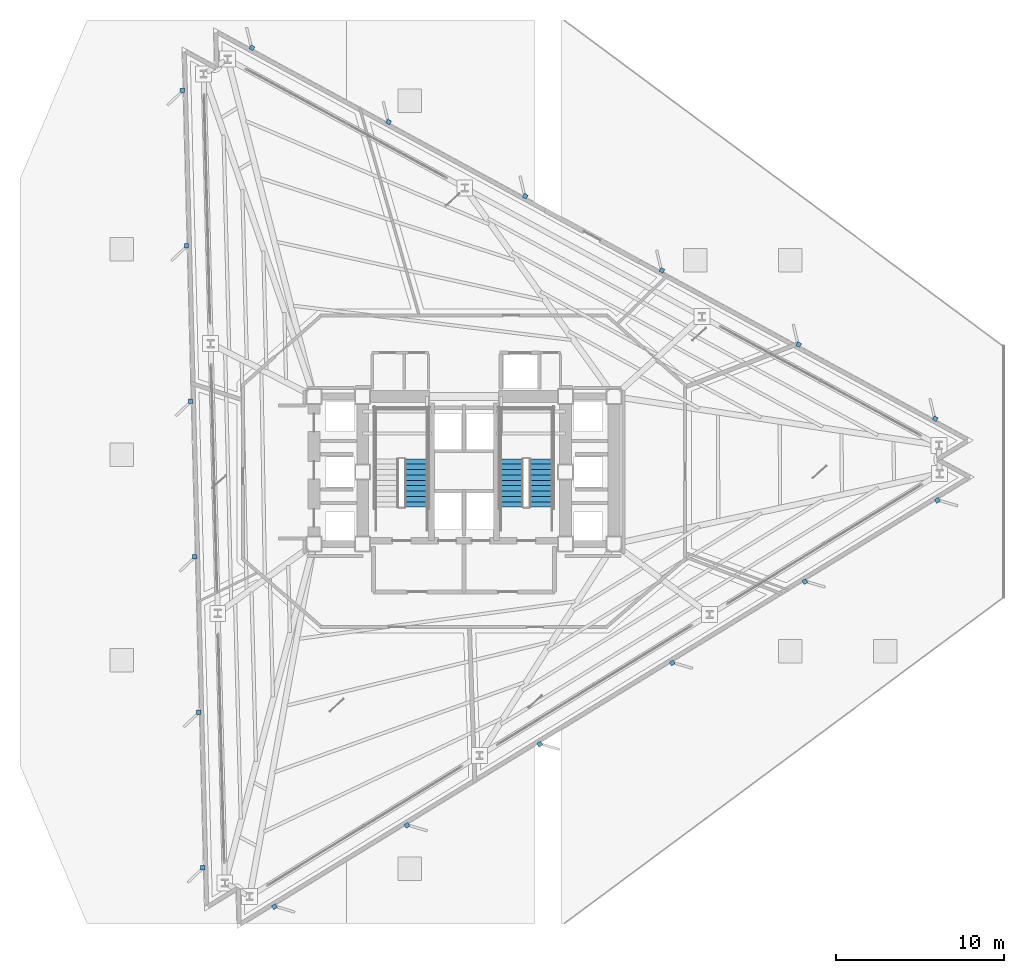
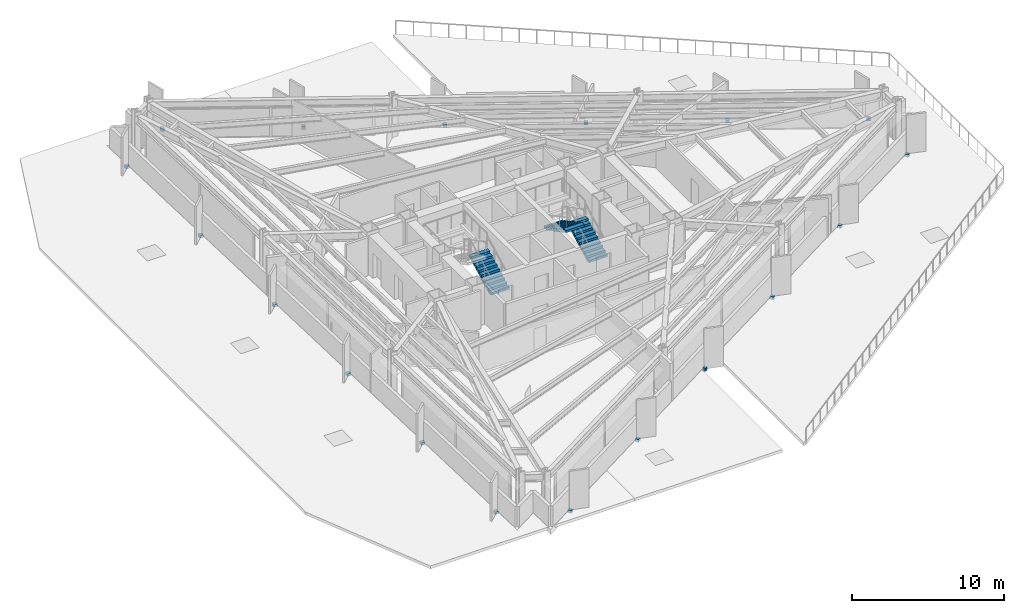
# One storey, part 10 of 13: 18 discrete accessories, 3 stair flights, 2 elements without a shape of their own.
"""IFC4 building model written with IfcOpenShell, lengths in metres."""

import ifcopenshell
import ifcopenshell.guid

model = None  # the IFC model being written
_history = None  # IfcOwnerHistory: only IFC2X3 demands one
_inside = {}  # id of a spatial element -> (the spatial element, [elements in it])
_under = {}  # id of a project, library or spatial element -> (it, [spatial elements below it])
_declared = {}  # id of a project -> (the project, [libraries it declares])
_typed = {}  # id of a type object -> (the type object, [elements of that type])
_made_of = {}  # id of a material, layer set ... -> (it, [elements and type objects made of it])


def new_model(schema):
    """Start an empty IFC model of exactly this schema.

    Asked for "IFC4X3", IfcOpenShell would pick the latest addendum, in which some entities
    have other attributes; the version numbers below select the first issue.
    IFC2X3 requires an IfcOwnerHistory on every rooted entity: one is made here for all.
    """
    global model, _history
    if schema == "IFC4X3":
        model = ifcopenshell.file(schema_version=(4, 3, 0, 0))
    else:
        model = ifcopenshell.file(schema=schema)
    _inside.clear()
    _under.clear()
    _declared.clear()
    _typed.clear()
    _made_of.clear()
    _history = None
    if model.schema == "IFC2X3":
        org = make("IfcOrganization", Name="unknown")
        user = make(
            "IfcPersonAndOrganization",
            ThePerson=make("IfcPerson", FamilyName="unknown"),
            TheOrganization=org,
        )
        app = make(
            "IfcApplication",
            ApplicationDeveloper=org,
            Version="unknown",
            ApplicationFullName="unknown",
            ApplicationIdentifier="unknown",
        )
        _history = make(
            "IfcOwnerHistory",
            OwningUser=user,
            OwningApplication=app,
            ChangeAction="ADDED",
            CreationDate=0,
        )
    return model


def make(cls, **values):
    """One entity of the class cls with the attributes given. An attribute that is None is left unset."""
    return model.create_entity(
        cls, **{name: value for name, value in values.items() if value is not None}
    )


def rooted(cls, **values):
    """An entity with a GlobalId (a new one), such as an element, a storey or a relation."""
    return make(cls, GlobalId=ifcopenshell.guid.new(), OwnerHistory=_history, **values)


def si_unit(unit_type, name, prefix=None):
    """IfcSIUnit, for example si_unit("LENGTHUNIT", "METRE", prefix="MILLI")."""
    return make("IfcSIUnit", UnitType=unit_type, Prefix=prefix, Name=name)


def assignment(units):
    """IfcUnitAssignment: the units of a project."""
    return None if units is None else make("IfcUnitAssignment", Units=units)


def point(xyz):
    """IfcCartesianPoint."""
    return None if xyz is None else make("IfcCartesianPoint", Coordinates=xyz)


def direction(xyz):
    """IfcDirection."""
    return None if xyz is None else make("IfcDirection", DirectionRatios=xyz)


def frame(location, z_axis=None, x_axis=None):
    """IfcAxis2Placement3D, a coordinate frame: its origin and axes. An axis left out is left unset."""
    return make(
        "IfcAxis2Placement3D",
        Location=point(location),
        Axis=direction(z_axis),
        RefDirection=direction(x_axis),
    )


def frame_2d(location, x_axis=None):
    """IfcAxis2Placement2D, a coordinate frame in the plane: its origin and x axis."""
    return make(
        "IfcAxis2Placement2D", Location=point(location), RefDirection=direction(x_axis)
    )


def origin():
    """The frame at (0, 0, 0) with its axes left unset."""
    return frame((0.0, 0.0, 0.0))


def origin_2d():
    """The frame at (0, 0) in the plane with its x axis left unset."""
    return frame_2d((0.0, 0.0))


def place(relative_to, where):
    """IfcLocalPlacement: puts the frame where relative to a parent placement (None: the world)."""
    return make(
        "IfcLocalPlacement", PlacementRelTo=relative_to, RelativePlacement=where
    )


def context(
    kind, dimensions, precision=None, world=None, true_north=None, identifier=None
):
    """IfcGeometricRepresentationContext, for example the 3D "Model" context."""
    return make(
        "IfcGeometricRepresentationContext",
        ContextIdentifier=identifier,
        ContextType=kind,
        CoordinateSpaceDimension=dimensions,
        Precision=precision,
        WorldCoordinateSystem=world,
        TrueNorth=true_north,
    )


def subcontext(parent, identifier, kind, view, scale=None):
    """IfcGeometricRepresentationSubContext, for example "Body" below "Model"."""
    return make(
        "IfcGeometricRepresentationSubContext",
        ContextIdentifier=identifier,
        ContextType=kind,
        ParentContext=parent,
        TargetScale=scale,
        TargetView=view,
    )


def project(units=None, contexts=None):
    """IfcProject with its units and contexts."""
    return rooted(
        "IfcProject",
        Name="project",
        RepresentationContexts=contexts,
        UnitsInContext=assignment(units),
    )


def spatial(cls, under=None, at=None, **own):
    """A site, building, storey or space (cls), placed at a placement, below another one or the project."""
    s = rooted(cls, ObjectPlacement=at, **own)
    if under is not None:
        _under.setdefault(under.id(), (under, []))[1].append(s)
    return s


def polyline(points):
    """IfcPolyline through the points."""
    return make("IfcPolyline", Points=[point(p) for p in points])


def profile(cls, at=None, kind="AREA", **sizes):
    """A parametric profile (cls). Its sizes go by their IFC names, for example OverallWidth=200.0."""
    return make(cls, ProfileType=kind, Position=at, **sizes)


def rectangle(**sizes):
    """IfcRectangleProfileDef."""
    return profile("IfcRectangleProfileDef", **sizes)


def outline(outer, holes=None, kind="AREA"):
    """IfcArbitraryClosedProfileDef: a profile drawn as a closed curve; with holes, ...WithVoids."""
    if holes is None:
        return make("IfcArbitraryClosedProfileDef", ProfileType=kind, OuterCurve=outer)
    return make(
        "IfcArbitraryProfileDefWithVoids",
        ProfileType=kind,
        OuterCurve=outer,
        InnerCurves=holes,
    )


def extrude(swept, where, along, depth):
    """IfcExtrudedAreaSolid: the profile swept, set in the frame where, extruded along a direction by depth."""
    return make(
        "IfcExtrudedAreaSolid",
        SweptArea=swept,
        Position=where,
        ExtrudedDirection=direction(along),
        Depth=depth,
    )


def shape(context_of_items, identifier, shape_type, items):
    """IfcShapeRepresentation: the items that make up one representation, for example the "Body"."""
    return make(
        "IfcShapeRepresentation",
        ContextOfItems=context_of_items,
        RepresentationIdentifier=identifier,
        RepresentationType=shape_type,
        Items=items,
    )


def material(Name=None, Category=None):
    """IfcMaterial."""
    return make("IfcMaterial", Name=Name, Category=Category)


def layer(
    of_material, thickness, ventilated=None, Name=None, Category=None, Priority=None
):
    """IfcMaterialLayer: one layer of a wall or slab, of a material (None: an air gap)."""
    return make(
        "IfcMaterialLayer",
        Material=of_material,
        LayerThickness=thickness,
        IsVentilated=ventilated,
        Name=Name,
        Category=Category,
        Priority=Priority,
    )


def layer_set(layers, Name=None):
    """IfcMaterialLayerSet."""
    return make("IfcMaterialLayerSet", MaterialLayers=layers, LayerSetName=Name)


def made_of(thing, what):
    """Note that an element or type object is made of a material, layer set ...; save() writes the relation."""
    if what is not None:
        _made_of.setdefault(what.id(), (what, []))[1].append(thing)
    return thing


def type_object(cls, material=None, **own):
    """A type object (cls), such as IfcWallType, which elements share."""
    return made_of(rooted(cls, **own), material)


def element(
    cls,
    number,
    at=None,
    inside=None,
    cuts=None,
    type_object=None,
    material=None,
    context=None,
    identifier="Body",
    shape_type=None,
    held_by="IfcProductDefinitionShape",
    body=None,
    shapes=None,
    **own,
):
    """One element of the class cls, such as IfcWall. Its Tag is "e" and its number.

    at: its placement. inside: the storey or other place that contains it. cuts: it is an
    opening in that element (IfcRelVoidsElement). A single representation is given by context,
    identifier, shape_type and body (its items); several are given by shapes. held_by: the class
    of the entity that holds the representations. save() writes the other relations.
    """
    e = rooted(cls, Tag="e%d" % number, ObjectPlacement=at, **own)
    if body is not None:
        shapes = [shape(context, identifier, shape_type, body)]
    if shapes is not None:
        e.Representation = make(held_by, Representations=shapes)
    if inside is not None:
        _inside.setdefault(inside.id(), (inside, []))[1].append(e)
    if cuts is not None:
        rooted(
            "IfcRelVoidsElement", RelatingBuildingElement=cuts, RelatedOpeningElement=e
        )
    if type_object is not None:
        _typed.setdefault(type_object.id(), (type_object, []))[1].append(e)
    return made_of(e, material)


def aggregate(whole, parts):
    """IfcRelAggregates: a whole, such as a stair, and the parts it consists of."""
    return rooted("IfcRelAggregates", RelatingObject=whole, RelatedObjects=parts)


def save(model, path):
    """Write the relations noted so far, then the file.

    IfcRelAggregates (storeys below a building ...), IfcRelContainedInSpatialStructure (elements
    in a storey), IfcRelDefinesByType, IfcRelAssociatesMaterial and IfcRelDeclares: one each for
    every whole, place, type object, material and project.
    """
    for whole, parts in _under.values():
        aggregate(whole, parts)
    for where, things in _inside.values():
        rooted(
            "IfcRelContainedInSpatialStructure",
            RelatedElements=things,
            RelatingStructure=where,
        )
    for kind, things in _typed.values():
        rooted("IfcRelDefinesByType", RelatedObjects=things, RelatingType=kind)
    for what, things in _made_of.values():
        rooted("IfcRelAssociatesMaterial", RelatedObjects=things, RelatingMaterial=what)
    for by, libraries in _declared.values():
        rooted("IfcRelDeclares", RelatingContext=by, RelatedDefinitions=libraries)
    model.write(path)


model = new_model("IFC4")

# Units and contexts
model_context = context("Model", 3, precision=1e-05, world=origin(), true_north=direction((0.0, 1.0)))
body_context = subcontext(model_context, "Body", "Model", "MODEL_VIEW")
ifc_project = project(units=[si_unit("LENGTHUNIT", "METRE"), si_unit("AREAUNIT", "SQUARE_METRE"), si_unit("VOLUMEUNIT", "CUBIC_METRE"), si_unit("PLANEANGLEUNIT", "RADIAN"), si_unit("MASSUNIT", "GRAM", prefix="KILO")], contexts=[model_context])

# Site, building, storey
site_placement = place(None, origin())
site = spatial("IfcSite", under=ifc_project, at=site_placement, CompositionType="ELEMENT")
building_placement = place(site_placement, origin())
building = spatial("IfcBuilding", under=site, at=building_placement, Name="Rocaltana Carrier Exchange", CompositionType="ELEMENT")
storey_placement = place(building_placement, frame((0.0, 0.0, 18.8798828125)))
storey = spatial("IfcBuildingStorey", under=building, at=storey_placement, Name="L06", CompositionType="ELEMENT", Elevation=18.8798828125)

# Stair, stair flight
ifc_material_1 = material(Name="Precast concrete C45/55", Category="concrete")
stair_type = type_object("IfcStairType", Name="Standard Dog-Leg Stair 160", PredefinedType="HALF_TURN_STAIR", material=ifc_material_1)
stair_1_placement = place(storey_placement, origin())
stair_1 = element("IfcStair", 1, at=stair_1_placement, inside=storey, type_object=stair_type, Name="L06 Core West Exit Stair ST-1", PredefinedType="HALF_TURN_STAIR")
ifc_material_2 = material(Name="Precast concrete C45/55", Category="concrete")
stair_flight_type = type_object("IfcStairFlightType", Name="Precast Stair Flight 160", PredefinedType="STRAIGHT", material=ifc_material_2)
stair_flight_1_placement = place(storey_placement, frame((-2.840087890625, -2.10009765625, 0.0), z_axis=(0.0, 0.0, 1.0), x_axis=(0.0, 1.0, 0.0)))
stair_flight_1 = element("IfcStairFlight", 2, at=stair_flight_1_placement, type_object=stair_flight_type, Name="ST-1 flight 1", NumberOfRisers=10, NumberOfTreads=9, PredefinedType="STRAIGHT", RiserHeight=0.168, TreadLength=0.32, context=body_context, shape_type="SweptSolid", body=[
    extrude(outline(polyline([(0.0, 0.0), (0.0, 0.16796875), (0.320068359375, 0.16796875), (0.320068359375, 0.3359375), (0.639892578125, 0.3359375), (0.639892578125, 0.50390625), (0.9599609375, 0.50390625), (0.9599609375, 0.672119140625), (1.280029296875, 0.672119140625), (1.280029296875, 0.840087890625), (1.60009765625, 0.840087890625), (1.60009765625, 1.008056640625), (1.919921875, 1.008056640625), (1.919921875, 1.176025390625), (2.239990234375, 1.176025390625), (2.239990234375, 1.343994140625), (2.56005859375, 1.343994140625), (2.56005859375, 1.511962890625), (2.8798828125, 1.511962890625), (2.8798828125, 1.679931640625), (2.8798828125, 1.331298828125), (0.343994140625, 0.0), (0.0, 0.0)])), frame((0.0, 0.699951171875, 0.0), z_axis=(0.0, -1.0, 0.0), x_axis=(1.0, 0.0, 0.0)), (0.0, 0.0, 1.0), 1.39990234375),
])
aggregate(stair_1, [stair_flight_1])

# Stair, stair flights
stair_2_placement = place(storey_placement, origin())
stair_2 = element("IfcStair", 3, at=stair_2_placement, inside=storey, type_object=stair_type, Name="L06 Core East Exit Stair ST-2", PredefinedType="HALF_TURN_STAIR")
stair_flight_2_placement = place(storey_placement, frame((4.60009765625, -2.10009765625, 0.0), z_axis=(0.0, 0.0, 1.0), x_axis=(0.0, 1.0, 0.0)))
stair_flight_2 = element("IfcStairFlight", 4, at=stair_flight_2_placement, type_object=stair_flight_type, Name="ST-2 flight 1", NumberOfRisers=10, NumberOfTreads=9, PredefinedType="STRAIGHT", RiserHeight=0.168, TreadLength=0.32, context=body_context, shape_type="SweptSolid", body=[
    extrude(outline(polyline([(0.0, 0.0), (0.0, 0.16796875), (0.320068359375, 0.16796875), (0.320068359375, 0.3359375), (0.639892578125, 0.3359375), (0.639892578125, 0.50390625), (0.9599609375, 0.50390625), (0.9599609375, 0.672119140625), (1.280029296875, 0.672119140625), (1.280029296875, 0.840087890625), (1.60009765625, 0.840087890625), (1.60009765625, 1.008056640625), (1.919921875, 1.008056640625), (1.919921875, 1.176025390625), (2.239990234375, 1.176025390625), (2.239990234375, 1.343994140625), (2.56005859375, 1.343994140625), (2.56005859375, 1.511962890625), (2.8798828125, 1.511962890625), (2.8798828125, 1.679931640625), (2.8798828125, 1.331298828125), (0.343994140625, 0.0), (0.0, 0.0)])), frame((0.0, 0.699951171875, 0.0), z_axis=(0.0, -1.0, 0.0), x_axis=(1.0, 0.0, 0.0)), (0.0, 0.0, 1.0), 1.39990234375),
])
stair_flight_3_placement = place(storey_placement, frame((2.840087890625, 0.780029296875, 1.68017578125), z_axis=(0.0, 0.0, 1.0), x_axis=(0.0, -1.0, 0.0)))
stair_flight_3 = element("IfcStairFlight", 5, at=stair_flight_3_placement, type_object=stair_flight_type, Name="ST-2 flight 2", NumberOfRisers=10, NumberOfTreads=9, PredefinedType="STRAIGHT", RiserHeight=0.168, TreadLength=0.32, context=body_context, shape_type="SweptSolid", body=[
    extrude(outline(polyline([(0.0, 0.0), (0.0, 0.16796875), (0.320068359375, 0.16796875), (0.320068359375, 0.3359375), (0.639892578125, 0.3359375), (0.639892578125, 0.50390625), (0.9599609375, 0.50390625), (0.9599609375, 0.672119140625), (1.280029296875, 0.672119140625), (1.280029296875, 0.840087890625), (1.60009765625, 0.840087890625), (1.60009765625, 1.008056640625), (1.919921875, 1.008056640625), (1.919921875, 1.176025390625), (2.239990234375, 1.176025390625), (2.239990234375, 1.343994140625), (2.56005859375, 1.343994140625), (2.56005859375, 1.511962890625), (2.8798828125, 1.511962890625), (2.8798828125, 1.679931640625), (2.8798828125, 1.331298828125), (0.343994140625, 0.0), (0.0, 0.0)])), frame((0.0, 0.699951171875, 0.0), z_axis=(0.0, -1.0, 0.0), x_axis=(1.0, 0.0, 0.0)), (0.0, 0.0, 1.0), 1.39990234375),
])
aggregate(stair_2, [stair_flight_2, stair_flight_3])

# Discrete accessories
ifc_material_3 = material(Name="Brushed Architectural Stainless Metal", Category="steel")
ifc_layer = layer(ifc_material_3, 0.219970703125)
ifc_layer_set = layer_set([ifc_layer], Name="Brushed Architectural Stainless Metal")
discrete_accessory_type = type_object("IfcDiscreteAccessoryType", Name="Stainless Fin Slab-Edge Bracket 260x260x220", PredefinedType="BRACKET", material=ifc_layer_set)
for number, where, z_axis, x_axis, name in (
    (6, (28.121337890625, 3.171875, -0.2099609375), (0.0, 0.0, 1.0), (-0.878817112662, 0.47715876026, 0.0), "L06 Sandstone Fin Edge Bracket F1-01"),
    (7, (19.9658203125, 7.599853515625, -0.2099609375), (0.0, 0.0, 1.0), (-0.878817112662, 0.47715876026, 0.0), "L06 Sandstone Fin Edge Bracket F1-02"),
    (8, (11.810546875, 12.02783203125, -0.2099609375), (0.0, 0.0, 1.0), (-0.878817112662, 0.47715876026, 0.0), "L06 Sandstone Fin Edge Bracket F1-03"),
    (9, (3.655029296875, 16.4560546875, -0.2099609375), (0.0, 0.0, 1.0), (-0.878817112662, 0.47715876026, 0.0), "L06 Sandstone Fin Edge Bracket F1-04"),
    (10, (-4.50048828125, 20.884033203125, -0.2099609375), (0.0, 0.0, 1.0), (-0.878817112662, 0.47715876026, 0.0), "L06 Sandstone Fin Edge Bracket F1-05"),
    (11, (-12.65576171875, 25.31201171875, -0.2099609375), (0.0, 0.0, 1.0), (-0.878817112662, 0.47715876026, 0.0), "L06 Sandstone Fin Edge Bracket F1-06"),
    (12, (-16.8076171875, 22.767822265625, -0.2099609375), (0.0, 0.0, 1.0), (0.026176948308, -0.999657324976, 0.0), "L06 Sandstone Fin Edge Bracket F2-01"),
    (13, (-16.564697265625, 13.490966796875, -0.2099609375), (0.0, 0.0, 1.0), (0.026176948308, -0.999657324976, 0.0), "L06 Sandstone Fin Edge Bracket F2-02"),
    (14, (-16.32177734375, 4.214111328125, -0.2099609375), (0.0, 0.0, 1.0), (0.026176948308, -0.999657324976, 0.0), "L06 Sandstone Fin Edge Bracket F2-03"),
    (15, (-16.078857421875, -5.0625, -0.2099609375), (0.0, 0.0, 1.0), (0.026176948308, -0.999657324976, 0.0), "L06 Sandstone Fin Edge Bracket F2-04"),
    (16, (-15.8359375, -14.33935546875, -0.2099609375), (0.0, 0.0, 1.0), (0.026176948308, -0.999657324976, 0.0), "L06 Sandstone Fin Edge Bracket F2-05"),
    (17, (-15.593017578125, -23.6162109375, -0.2099609375), (0.0, 0.0, 1.0), (0.026176948308, -0.999657324976, 0.0), "L06 Sandstone Fin Edge Bracket F2-06"),
    (18, (-11.313720703125, -25.939697265625, -0.2099609375), (0.0, 0.0, 1.0), (0.852640164354, 0.522498564716, 0.0), "L06 Sandstone Fin Edge Bracket F3-01"),
    (19, (-3.401123046875, -21.0908203125, -0.2099609375), (0.0, 0.0, 1.0), (0.852640164354, 0.522498564716, 0.0), "L06 Sandstone Fin Edge Bracket F3-02"),
    (20, (4.51123046875, -16.2421875, -0.2099609375), (0.0, 0.0, 1.0), (0.852640164354, 0.522498564716, 0.0), "L06 Sandstone Fin Edge Bracket F3-03"),
    (21, (12.423828125, -11.393310546875, -0.2099609375), (0.0, 0.0, 1.0), (0.852640164354, 0.522498564716, 0.0), "L06 Sandstone Fin Edge Bracket F3-04"),
    (22, (20.336181640625, -6.54443359375, -0.2099609375), (0.0, 0.0, 1.0), (0.852640164354, 0.522498564716, 0.0), "L06 Sandstone Fin Edge Bracket F3-05"),
    (23, (28.248779296875, -1.69580078125, -0.2099609375), (0.0, 0.0, 1.0), (0.852640164354, 0.522498564716, 0.0), "L06 Sandstone Fin Edge Bracket F3-06"),
):
    element("IfcDiscreteAccessory", number, at=place(storey_placement, frame(where, z_axis=z_axis, x_axis=x_axis)), inside=storey, type_object=discrete_accessory_type, Name=name, PredefinedType="BRACKET", context=body_context, shape_type="SweptSolid", body=[
        extrude(rectangle(XDim=0.260009765625, YDim=0.260009765625, at=origin_2d()), origin(), (0.0, 0.0, 1.0), 0.219970703125),
    ])

save(model, "model.ifc")
